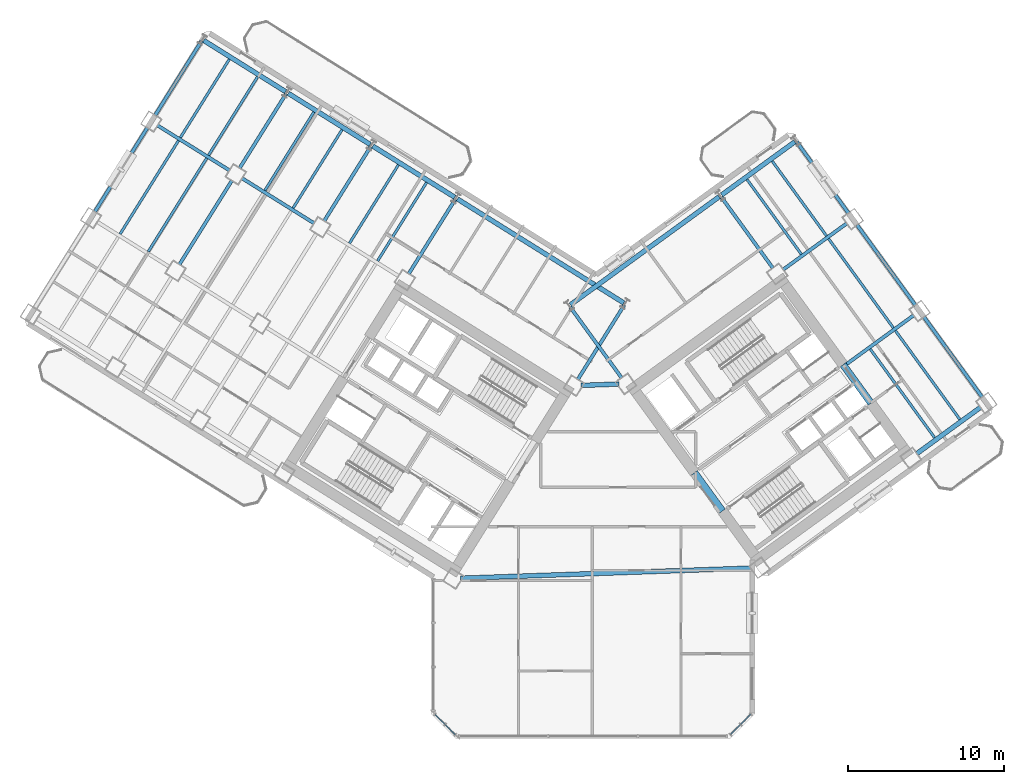
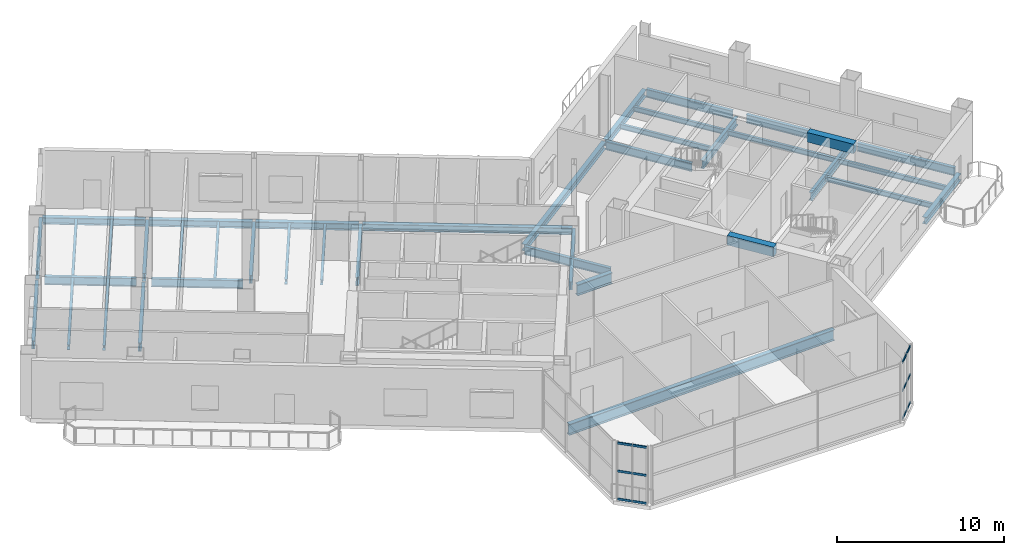
# One storey, part 7 of 19: 40 beams, 12 members, 2 elements without a shape of their own.
"""IFC4 building model written with IfcOpenShell, lengths in metres."""

from ifc_helpers import new_model, si_unit, direction, frame, origin, origin_2d, place, context, subcontext, project, spatial, rectangle, hollow_rectangle, i_section, extrude, source, transform, mapped, material, material_profile, profile_set, type_object, element, aggregate, save


model = new_model("IFC4")

# Units and contexts
model_context = context("Model", 3, precision=1e-05, world=origin(), true_north=direction((0.0, 1.0)))
body_context = subcontext(model_context, "Body", "Model", "MODEL_VIEW")
ifc_project = project(units=[si_unit("LENGTHUNIT", "METRE"), si_unit("AREAUNIT", "SQUARE_METRE"), si_unit("VOLUMEUNIT", "CUBIC_METRE"), si_unit("PLANEANGLEUNIT", "RADIAN"), si_unit("MASSUNIT", "GRAM", prefix="KILO")], contexts=[model_context])

# Site, building, storey
site_placement = place(None, origin())
site = spatial("IfcSite", under=ifc_project, at=site_placement, CompositionType="ELEMENT")
building_placement = place(site_placement, origin())
building = spatial("IfcBuilding", under=site, at=building_placement, Name="Tlacorven Tower", CompositionType="ELEMENT")
storey_placement = place(building_placement, frame((0.0, 0.0, 76.5)))
storey = spatial("IfcBuildingStorey", under=building, at=storey_placement, Name="L19", CompositionType="ELEMENT", Elevation=76.5)

# Beams
ifc_material_1 = material(Name="Concrete C60/75", Category="concrete")
ifc_material_profile_1 = material_profile(ifc_material_1, rectangle(XDim=0.449951171875, YDim=0.699951171875, at=origin_2d()), Name="RC 450X700")
ifc_profile_set_1 = profile_set([ifc_material_profile_1], Name="Concrete C60/75")
beam_type_1 = type_object("IfcBeamType", Name="BM-LNT-700", PredefinedType="LINTEL", material=ifc_profile_set_1)
shared_shape_1 = source(origin(), body_context, "Body", "SweptSolid", [
    extrude(rectangle(XDim=0.449951171875, YDim=0.699951171875, at=origin_2d()), origin(), (0.0, 0.0, 1.0), 3.050048828125),
])
for number, where, z_axis, x_axis, name in (
    (1, (50.318359375, 16.416015625, 3.89990234375), (-0.587776590479, 0.80902328748, 0.0), (-0.80902328748, -0.587776590479, 0.0), "L19 E core coupling lintel beam E1"),
    (2, (59.856689453125, 23.345947265625, 3.89990234375), (-0.587776590479, 0.80902328748, 0.0), (-0.80902328748, -0.587776590479, 0.0), "L19 E core coupling lintel beam E2"),
):
    element("IfcBeam", number, at=place(storey_placement, frame(where, z_axis=z_axis, x_axis=x_axis)), inside=storey, type_object=beam_type_1, Name=name, PredefinedType="LINTEL", context=body_context, shape_type="MappedRepresentation", body=[
        mapped(shared_shape_1, transform((0.0, 0.0, 0.0), scale=1.0)),
    ])
ifc_material_2 = material(Name="Steel S355J2", Category="steel")
ifc_material_profile_2 = material_profile(ifc_material_2, i_section(OverallWidth=0.300048828125, OverallDepth=0.800048828125, WebThickness=0.017578125, FlangeThickness=0.032958984375, at=origin_2d()), Name="HEB 800")
ifc_profile_set_2 = profile_set([ifc_material_profile_2], Name="Steel S355J2")
beam_type_2 = type_object("IfcBeamType", Name="BM-POD-800", PredefinedType="BEAM", material=ifc_profile_set_2)
shared_shape_2 = source(origin(), body_context, "Body", "SweptSolid", [
    extrude(i_section(OverallWidth=0.300048828125, OverallDepth=0.800048828125, WebThickness=0.017578125, FlangeThickness=0.032958984375, at=origin_2d()), origin(), (0.0, 0.0, 1.0), 2.44287109375),
])
beam_1_placement = place(storey_placement, frame((41.232666015625, 24.484130859375, -0.679931640625), z_axis=(0.999391550767, 0.034878765122, 0.0), x_axis=(-0.034878765122, 0.999391550767, 0.0)))
element("IfcBeam", 3, at=beam_1_placement, inside=storey, type_object=beam_type_2, Name="L19 Knuckle Link Girder 1", PredefinedType="BEAM", context=body_context, shape_type="MappedRepresentation", body=[
    mapped(shared_shape_2, transform((0.0, 0.0, 0.0), scale=1.0)),
])
shared_shape_3 = source(origin(), body_context, "Body", "SweptSolid", [
    extrude(i_section(OverallWidth=0.300048828125, OverallDepth=0.800048828125, WebThickness=0.017578125, FlangeThickness=0.032958984375, at=origin_2d()), origin(), (0.0, 0.0, 1.0), 18.771240234375),
])
beam_2_placement = place(storey_placement, frame((33.495849609375, 12.1025390625, -0.679931640625), z_axis=(0.999390514848, 0.034908434954, 0.0), x_axis=(-0.034908434954, 0.999390514848, 0.0)))
element("IfcBeam", 4, at=beam_2_placement, inside=storey, type_object=beam_type_2, Name="L19 Knuckle Link Girder 2", PredefinedType="BEAM", context=body_context, shape_type="MappedRepresentation", body=[
    mapped(shared_shape_3, transform((0.0, 0.0, 0.0), scale=1.0)),
])
ifc_material_profile_3 = material_profile(ifc_material_2, i_section(OverallWidth=0.219970703125, OverallDepth=0.60009765625, WebThickness=0.011962890625, FlangeThickness=0.01904296875, at=origin_2d()), Name="IPE 600")
ifc_profile_set_3 = profile_set([ifc_material_profile_3], Name="Steel S355J2")
beam_type_3 = type_object("IfcBeamType", Name="BM-TWR-600", PredefinedType="BEAM", material=ifc_profile_set_3)
shared_shape_4 = source(origin(), body_context, "Body", "SweptSolid", [
    extrude(i_section(OverallWidth=0.219970703125, OverallDepth=0.60009765625, WebThickness=0.011962890625, FlangeThickness=0.01904296875, at=origin_2d()), origin(), (0.0, 0.0, 1.0), 5.5),
])
for number, where, z_axis, x_axis, name in (
    (5, (24.118896484375, 34.88134765625, -0.580078125), (-0.848050668838, 0.52991514706, 0.0), (-0.52991514706, -0.848050668838, 0.0), "L19 beam BM-L19-WL2-4"),
    (6, (18.69140625, 38.272705078125, -0.580078125), (-0.848050668838, 0.52991514706, 0.0), (-0.52991514706, -0.848050668838, 0.0), "L19 beam BM-L19-WL2-5"),
):
    element("IfcBeam", number, at=place(storey_placement, frame(where, z_axis=z_axis, x_axis=x_axis)), inside=storey, type_object=beam_type_3, Name=name, PredefinedType="BEAM", context=body_context, shape_type="MappedRepresentation", body=[
        mapped(shared_shape_4, transform((0.0, 0.0, 0.0), scale=1.0)),
    ])
ifc_material_profile_4 = material_profile(ifc_material_2, i_section(OverallWidth=0.300048828125, OverallDepth=0.489990234375, WebThickness=0.011962890625, FlangeThickness=0.02294921875, at=origin_2d()), Name="HEA 500")
ifc_profile_set_4 = profile_set([ifc_material_profile_4], Name="Steel S355J2")
beam_type_4 = type_object("IfcBeamType", Name="BM-SPN-500", PredefinedType="SPANDREL", material=ifc_profile_set_4)
shared_shape_5 = source(origin(), body_context, "Body", "SweptSolid", [
    extrude(i_section(OverallWidth=0.300048828125, OverallDepth=0.489990234375, WebThickness=0.011962890625, FlangeThickness=0.02294921875, at=origin_2d()), origin(), (0.0, 0.0, 1.0), 12.599853515625),
])
beam_3_placement = place(storey_placement, frame((43.983642578125, 29.779296875, -0.52490234375), z_axis=(-0.848045108756, 0.529924045043, 0.0), x_axis=(-0.529924045043, -0.848045108756, 0.0)))
element("IfcBeam", 7, at=beam_3_placement, inside=storey, type_object=beam_type_4, Name="L19 beam BM-L19-WL1-1", PredefinedType="SPANDREL", context=body_context, shape_type="MappedRepresentation", body=[
    mapped(shared_shape_5, transform((0.0, 0.0, 0.0), scale=1.0)),
])
shared_shape_6 = source(origin(), body_context, "Body", "SweptSolid", [
    extrude(i_section(OverallWidth=0.300048828125, OverallDepth=0.489990234375, WebThickness=0.011962890625, FlangeThickness=0.02294921875, at=origin_2d()), origin(), (0.0, 0.0, 1.0), 6.199951171875),
])
beam_4_placement = place(storey_placement, frame((33.128662109375, 36.562255859375, -0.52490234375), z_axis=(-0.848051394107, 0.529913986372, 0.0), x_axis=(-0.529913986372, -0.848051394107, 0.0)))
element("IfcBeam", 8, at=beam_4_placement, inside=storey, type_object=beam_type_4, Name="L19 beam BM-L19-WL1-3", PredefinedType="SPANDREL", context=body_context, shape_type="MappedRepresentation", body=[
    mapped(shared_shape_6, transform((0.0, 0.0, 0.0), scale=1.0)),
])
shared_shape_7 = source(origin(), body_context, "Body", "SweptSolid", [
    extrude(i_section(OverallWidth=0.219970703125, OverallDepth=0.60009765625, WebThickness=0.011962890625, FlangeThickness=0.01904296875, at=origin_2d()), origin(), (0.0, 0.0, 1.0), 5.64990234375),
])
for number, where, z_axis, x_axis, name in (
    (9, (44.015380859375, 29.6416015625, -0.580078125), (-0.529897948462, -0.848061415356, 0.0), (0.848061415356, -0.529897948462, 0.0), "L19 beam BM-L19-WT1-1"),
    (10, (33.160400390625, 36.424560546875, -0.580078125), (-0.529897948462, -0.848061415356, 0.0), (0.848061415356, -0.529897948462, 0.0), "L19 beam BM-L19-WT3-1"),
    (11, (27.73291015625, 39.81591796875, -0.580078125), (-0.529897948462, -0.848061415356, 0.0), (0.848061415356, -0.529897948462, 0.0), "L19 beam BM-L19-WT4-1"),
    (12, (53.5673828125, 32.00244140625, -0.580078125), (-0.587755393186, 0.809038687444, 0.0), (-0.809038687444, -0.587755393186, 0.0), "L19 beam BM-L19-ET3-2"),
    (13, (58.421630859375, 35.529296875, -0.580078125), (-0.587804223572, 0.809003210594, 0.0), (-0.809003210594, -0.587804223572, 0.0), "L19 beam BM-L19-ET4-3"),
):
    element("IfcBeam", number, at=place(storey_placement, frame(where, z_axis=z_axis, x_axis=x_axis)), inside=storey, type_object=beam_type_3, Name=name, PredefinedType="BEAM", context=body_context, shape_type="MappedRepresentation", body=[
        mapped(shared_shape_7, transform((0.0, 0.0, 0.0), scale=1.0)),
    ])
shared_shape_8 = source(origin(), body_context, "Body", "SweptSolid", [
    extrude(i_section(OverallWidth=0.219970703125, OverallDepth=0.60009765625, WebThickness=0.011962890625, FlangeThickness=0.01904296875, at=origin_2d()), origin(), (0.0, 0.0, 1.0), 5.650146484375),
])
for number, where, z_axis, x_axis, name in (
    (14, (22.305419921875, 43.20751953125, -0.580078125), (-0.529929025184, -0.848041996759, 0.0), (0.848041996759, -0.529929025184, 0.0), "L19 beam BM-L19-WT5-1"),
    (15, (16.8779296875, 46.598876953125, -0.580078125), (-0.529929025184, -0.848041996759, 0.0), (0.848041996759, -0.529929025184, 0.0), "L19 beam BM-L19-WT6-1"),
):
    element("IfcBeam", number, at=place(storey_placement, frame(where, z_axis=z_axis, x_axis=x_axis)), inside=storey, type_object=beam_type_3, Name=name, PredefinedType="BEAM", context=body_context, shape_type="MappedRepresentation", body=[
        mapped(shared_shape_8, transform((0.0, 0.0, 0.0), scale=1.0)),
    ])
shared_shape_9 = source(origin(), body_context, "Body", "SweptSolid", [
    extrude(i_section(OverallWidth=0.219970703125, OverallDepth=0.60009765625, WebThickness=0.011962890625, FlangeThickness=0.01904296875, at=origin_2d()), origin(), (0.0, 0.0, 1.0), 6.39990234375),
])
for number, where, z_axis, x_axis, name in (
    (16, (67.003173828125, 23.717529296875, -0.580078125), (-0.587772420479, 0.809026317077, 0.0), (-0.809026317077, -0.587772420479, 0.0), "L19 beam BM-L19-ET4-1"),
    (17, (62.71240234375, 29.62353515625, -0.580078125), (-0.587815528162, 0.808994996803, 0.0), (-0.808994996803, -0.587815528162, 0.0), "L19 beam BM-L19-ET4-2"),
):
    element("IfcBeam", number, at=place(storey_placement, frame(where, z_axis=z_axis, x_axis=x_axis)), inside=storey, type_object=beam_type_3, Name=name, PredefinedType="BEAM", context=body_context, shape_type="MappedRepresentation", body=[
        mapped(shared_shape_9, transform((0.0, 0.0, 0.0), scale=1.0)),
    ])
shared_shape_10 = source(origin(), body_context, "Body", "SweptSolid", [
    extrude(i_section(OverallWidth=0.219970703125, OverallDepth=0.60009765625, WebThickness=0.011962890625, FlangeThickness=0.01904296875, at=origin_2d()), origin(), (0.0, 0.0, 1.0), 6.400146484375),
])
for number, where, z_axis, x_axis, name in (
    (18, (18.83447265625, 37.652587890625, -0.580078125), (-0.529933789039, -0.848039019877, 0.0), (0.848039019877, -0.529933789039, 0.0), "L19 beam BM-L19-WT5-2"),
    (19, (13.406982421875, 41.044189453125, -0.580078125), (-0.529933789039, -0.848039019877, 0.0), (0.848039019877, -0.529933789039, 0.0), "L19 beam BM-L19-WT6-2"),
):
    element("IfcBeam", number, at=place(storey_placement, frame(where, z_axis=z_axis, x_axis=x_axis)), inside=storey, type_object=beam_type_3, Name=name, PredefinedType="BEAM", context=body_context, shape_type="MappedRepresentation", body=[
        mapped(shared_shape_10, transform((0.0, 0.0, 0.0), scale=1.0)),
    ])
shared_shape_11 = source(origin(), body_context, "Body", "SweptSolid", [
    extrude(i_section(OverallWidth=0.300048828125, OverallDepth=0.489990234375, WebThickness=0.011962890625, FlangeThickness=0.02294921875, at=origin_2d()), origin(), (0.0, 0.0, 1.0), 11.800048828125),
])
beam_5_placement = place(storey_placement, frame((40.560302734375, 29.65966796875, -0.52490234375), z_axis=(0.80900977213, 0.587795192732, 0.0), x_axis=(-0.587795192732, 0.80900977213, 0.0)))
element("IfcBeam", 20, at=beam_5_placement, inside=storey, type_object=beam_type_4, Name="L19 beam BM-L19-EL4-1", PredefinedType="SPANDREL", context=body_context, shape_type="MappedRepresentation", body=[
    mapped(shared_shape_11, transform((0.0, 0.0, 0.0), scale=1.0)),
])
shared_shape_12 = source(origin(), body_context, "Body", "SweptSolid", [
    extrude(i_section(OverallWidth=0.300048828125, OverallDepth=0.489990234375, WebThickness=0.011962890625, FlangeThickness=0.02294921875, at=origin_2d()), origin(), (0.0, 0.0, 1.0), 5.800048828125),
])
beam_6_placement = place(storey_placement, frame((50.2685546875, 36.713134765625, -0.52490234375), z_axis=(0.809019944521, 0.587781191743, 0.0), x_axis=(-0.587781191743, 0.809019944521, 0.0)))
element("IfcBeam", 21, at=beam_6_placement, inside=storey, type_object=beam_type_4, Name="L19 beam BM-L19-EL4-3", PredefinedType="SPANDREL", context=body_context, shape_type="MappedRepresentation", body=[
    mapped(shared_shape_12, transform((0.0, 0.0, 0.0), scale=1.0)),
])
shared_shape_13 = source(origin(), body_context, "Body", "SweptSolid", [
    extrude(i_section(OverallWidth=0.219970703125, OverallDepth=0.60009765625, WebThickness=0.011962890625, FlangeThickness=0.01904296875, at=origin_2d()), origin(), (0.0, 0.0, 1.0), 5.510009765625),
])
beam_7_placement = place(storey_placement, frame((58.155029296875, 25.756103515625, -0.580078125), z_axis=(0.809015730594, 0.587786991734, 0.0), x_axis=(-0.587786991734, 0.809015730594, 0.0)))
element("IfcBeam", 22, at=beam_7_placement, inside=storey, type_object=beam_type_3, Name="L19 beam BM-L19-EL2-3", PredefinedType="BEAM", context=body_context, shape_type="MappedRepresentation", body=[
    mapped(shared_shape_13, transform((0.0, 0.0, 0.0), scale=1.0)),
])
shared_shape_14 = source(origin(), body_context, "Body", "SweptSolid", [
    extrude(i_section(OverallWidth=0.300048828125, OverallDepth=0.489990234375, WebThickness=0.011962890625, FlangeThickness=0.02294921875, at=origin_2d()), origin(), (0.0, 0.0, 1.0), 6.2001953125),
])
for number, where, z_axis, x_axis, name in (
    (23, (27.701171875, 39.95361328125, -0.52490234375), (-0.84804475579, 0.5299246099, 0.0), (-0.5299246099, -0.84804475579, 0.0), "L19 beam BM-L19-WL1-4"),
    (24, (22.273681640625, 43.34521484375, -0.52490234375), (-0.848062451332, 0.529896290457, 0.0), (-0.529896290457, -0.848062451332, 0.0), "L19 beam BM-L19-WL1-5"),
):
    element("IfcBeam", number, at=place(storey_placement, frame(where, z_axis=z_axis, x_axis=x_axis)), inside=storey, type_object=beam_type_4, Name=name, PredefinedType="SPANDREL", context=body_context, shape_type="MappedRepresentation", body=[
        mapped(shared_shape_14, transform((0.0, 0.0, 0.0), scale=1.0)),
    ])
ifc_material_profile_5 = material_profile(ifc_material_2, i_section(OverallWidth=0.169921875, OverallDepth=0.360107421875, WebThickness=0.008056640625, FlangeThickness=0.0126953125, at=origin_2d()), Name="IPE 360")
ifc_profile_set_5 = profile_set([ifc_material_profile_5], Name="Steel S355J2")
beam_type_5 = type_object("IfcBeamType", Name="BM-JST-360", PredefinedType="JOIST", material=ifc_profile_set_5)
shared_shape_15 = source(origin(), body_context, "Body", "SweptSolid", [
    extrude(i_section(OverallWidth=0.169921875, OverallDepth=0.360107421875, WebThickness=0.008056640625, FlangeThickness=0.0126953125, at=origin_2d()), origin(), (0.0, 0.0, 1.0), 5.93017578125),
])
for number, where, z_axis, x_axis, name in (
    (25, (31.322265625, 37.50830078125, -0.4599609375), (-0.529928626913, -0.848042245633, 0.0), (0.848042245633, -0.529928626913, 0.0), "L19 beam BM-L19-WJ3-1-1"),
    (26, (29.512939453125, 38.638916015625, -0.4599609375), (-0.529899018132, -0.848060746989, 0.0), (0.848060746989, -0.529899018132, 0.0), "L19 beam BM-L19-WJ3-1-2"),
    (27, (20.467041015625, 44.291259765625, -0.4599609375), (-0.529899018132, -0.848060746989, 0.0), (0.848060746989, -0.529899018132, 0.0), "L19 beam BM-L19-WJ5-1-1"),
    (28, (18.657958984375, 45.421875, -0.4599609375), (-0.529928626913, -0.848042245633, 0.0), (0.848042245633, -0.529928626913, 0.0), "L19 beam BM-L19-WJ5-1-2"),
    (29, (55.38232421875, 32.906982421875, -0.4599609375), (-0.587777512947, 0.809022617282, 0.0), (-0.809022617282, -0.587777512947, 0.0), "L19 beam BM-L19-EJ3-3-1"),
):
    element("IfcBeam", number, at=place(storey_placement, frame(where, z_axis=z_axis, x_axis=x_axis)), inside=storey, type_object=beam_type_5, Name=name, PredefinedType="JOIST", context=body_context, shape_type="MappedRepresentation", body=[
        mapped(shared_shape_15, transform((0.0, 0.0, 0.0), scale=1.0)),
    ])
shared_shape_16 = source(origin(), body_context, "Body", "SweptSolid", [
    extrude(i_section(OverallWidth=0.169921875, OverallDepth=0.360107421875, WebThickness=0.008056640625, FlangeThickness=0.0126953125, at=origin_2d()), origin(), (0.0, 0.0, 1.0), 7.070068359375),
])
for number, where, z_axis, x_axis, name in (
    (30, (17.202880859375, 39.0673828125, -0.4599609375), (-0.529915131461, -0.848050678585, 0.0), (0.848050678585, -0.529915131461, 0.0), "L19 beam BM-L19-WJ5-2-1"),
    (31, (15.3935546875, 40.19775390625, -0.4599609375), (-0.529930649952, -0.848040981463, 0.0), (0.848040981463, -0.529930649952, 0.0), "L19 beam BM-L19-WJ5-2-2"),
    (32, (61.291259765625, 28.1767578125, -0.4599609375), (-0.587797946309, 0.80900777148, 0.0), (-0.80900777148, -0.587797946309, 0.0), "L19 beam BM-L19-EJ3-2-2"),
):
    element("IfcBeam", number, at=place(storey_placement, frame(where, z_axis=z_axis, x_axis=x_axis)), inside=storey, type_object=beam_type_5, Name=name, PredefinedType="JOIST", context=body_context, shape_type="MappedRepresentation", body=[
        mapped(shared_shape_16, transform((0.0, 0.0, 0.0), scale=1.0)),
    ])
shared_shape_17 = source(origin(), body_context, "Body", "SweptSolid", [
    extrude(i_section(OverallWidth=0.169921875, OverallDepth=0.360107421875, WebThickness=0.008056640625, FlangeThickness=0.0126953125, at=origin_2d()), origin(), (0.0, 0.0, 1.0), 7.030029296875),
])
beam_8_placement = place(storey_placement, frame((63.9404296875, 21.127685546875, -0.4599609375), z_axis=(-0.587773097846, 0.809025824958, 0.0), x_axis=(-0.809025824958, -0.587773097846, 0.0)))
element("IfcBeam", 33, at=beam_8_placement, inside=storey, type_object=beam_type_5, Name="L19 beam BM-L19-EJ3-1-1", PredefinedType="JOIST", context=body_context, shape_type="MappedRepresentation", body=[
    mapped(shared_shape_17, transform((0.0, 0.0, 0.0), scale=1.0)),
])
shared_shape_18 = source(origin(), body_context, "Body", "SweptSolid", [
    extrude(i_section(OverallWidth=0.169921875, OverallDepth=0.360107421875, WebThickness=0.008056640625, FlangeThickness=0.0126953125, at=origin_2d()), origin(), (0.0, 0.0, 1.0), 5.929931640625),
])
for number, where, z_axis, x_axis, name in (
    (34, (25.894775390625, 40.899658203125, -0.4599609375), (-0.529947128902, -0.848030683742, 0.0), (0.848030683742, -0.529947128902, 0.0), "L19 beam BM-L19-WJ4-1-1"),
    (35, (24.08544921875, 42.0302734375, -0.4599609375), (-0.529917519894, -0.848049186138, 0.0), (0.848049186138, -0.529917519894, 0.0), "L19 beam BM-L19-WJ4-1-2"),
    (36, (57.00048828125, 34.082763671875, -0.4599609375), (-0.587797090585, 0.80900839322, 0.0), (-0.80900839322, -0.587797090585, 0.0), "L19 beam BM-L19-EJ3-3-2"),
):
    element("IfcBeam", number, at=place(storey_placement, frame(where, z_axis=z_axis, x_axis=x_axis)), inside=storey, type_object=beam_type_5, Name=name, PredefinedType="JOIST", context=body_context, shape_type="MappedRepresentation", body=[
        mapped(shared_shape_18, transform((0.0, 0.0, 0.0), scale=1.0)),
    ])
shared_shape_19 = source(origin(), body_context, "Body", "SweptSolid", [
    extrude(i_section(OverallWidth=0.300048828125, OverallDepth=0.489990234375, WebThickness=0.011962890625, FlangeThickness=0.02294921875, at=origin_2d()), origin(), (0.0, 0.0, 1.0), 5.10009765625),
])
beam_9_placement = place(storey_placement, frame((62.777587890625, 20.09130859375, -0.52490234375), z_axis=(0.809007176828, 0.58779876475, 0.0), x_axis=(-0.58779876475, 0.809007176828, 0.0)))
element("IfcBeam", 37, at=beam_9_placement, inside=storey, type_object=beam_type_4, Name="L19 beam BM-L19-EL1-3", PredefinedType="SPANDREL", context=body_context, shape_type="MappedRepresentation", body=[
    mapped(shared_shape_19, transform((0.0, 0.0, 0.0), scale=1.0)),
])
shared_shape_20 = source(origin(), body_context, "Body", "SweptSolid", [
    extrude(i_section(OverallWidth=0.219970703125, OverallDepth=0.60009765625, WebThickness=0.011962890625, FlangeThickness=0.01904296875, at=origin_2d()), origin(), (0.0, 0.0, 1.0), 5.099853515625),
])
beam_10_placement = place(storey_placement, frame((54.196044921875, 31.903076171875, -0.580078125), z_axis=(0.809029940764, 0.587767432704, 0.0), x_axis=(-0.587767432704, 0.809029940764, 0.0)))
element("IfcBeam", 38, at=beam_10_placement, inside=storey, type_object=beam_type_3, Name="L19 beam BM-L19-EL3-3", PredefinedType="BEAM", context=body_context, shape_type="MappedRepresentation", body=[
    mapped(shared_shape_20, transform((0.0, 0.0, 0.0), scale=1.0)),
])
shared_shape_21 = source(origin(), body_context, "Body", "SweptSolid", [
    extrude(i_section(OverallWidth=0.219970703125, OverallDepth=0.60009765625, WebThickness=0.011962890625, FlangeThickness=0.01904296875, at=origin_2d()), origin(), (0.0, 0.0, 1.0), 5.649658203125),
])
beam_11_placement = place(storey_placement, frame((43.859130859375, 24.94921875, -0.580078125), z_axis=(-0.587775941251, 0.809023759161, 0.0), x_axis=(-0.809023759161, -0.587775941251, 0.0)))
element("IfcBeam", 39, at=beam_11_placement, inside=storey, type_object=beam_type_3, Name="L19 beam BM-L19-ET1-2", PredefinedType="BEAM", context=body_context, shape_type="MappedRepresentation", body=[
    mapped(shared_shape_21, transform((0.0, 0.0, 0.0), scale=1.0)),
])
shared_shape_22 = source(origin(), body_context, "Body", "SweptSolid", [
    extrude(i_section(OverallWidth=0.169921875, OverallDepth=0.360107421875, WebThickness=0.008056640625, FlangeThickness=0.0126953125, at=origin_2d()), origin(), (0.0, 0.0, 1.0), 7.02978515625),
])
beam_12_placement = place(storey_placement, frame((65.55859375, 22.303466796875, -0.4599609375), z_axis=(-0.587789612219, 0.809013826685, 0.0), x_axis=(-0.809013826685, -0.587789612219, 0.0)))
element("IfcBeam", 40, at=beam_12_placement, inside=storey, type_object=beam_type_5, Name="L19 beam BM-L19-EJ3-1-2", PredefinedType="JOIST", context=body_context, shape_type="MappedRepresentation", body=[
    mapped(shared_shape_22, transform((0.0, 0.0, 0.0), scale=1.0)),
])

# Curtain wall, members
ifc_material_3 = material(Name="Dark solar low-E double glazing in aluminium frame", Category="aluminium")
curtain_wall_type = type_object("IfcCurtainWallType", Name="CW-COM-AMENITY", PredefinedType="USERDEFINED", material=ifc_material_3)
curtain_wall_1_placement = place(storey_placement, origin())
curtain_wall_1 = element("IfcCurtainWall", 41, at=curtain_wall_1_placement, inside=storey, type_object=curtain_wall_type, Name="L19 CW-COM-AMENITY Curtain Wall 103", ObjectType="UNITISED CURTAIN WALL", PredefinedType="USERDEFINED")
ifc_material_4 = material(Name="Aluminium 6063-T6 anodised", Category="aluminium")
ifc_material_profile_6 = material_profile(ifc_material_4, hollow_rectangle(XDim=0.06494140625, YDim=0.159912109375, WallThickness=0.00390625, at=origin_2d()), Name="ALU TRANSOM 65X160")
ifc_profile_set_6 = profile_set([ifc_material_profile_6], Name="Aluminium 6063-T6 anodised")
member_type = type_object("IfcMemberType", Name="CWT-01", PredefinedType="USERDEFINED", material=ifc_profile_set_6)
shared_shape_23 = source(origin(), body_context, "Body", "SweptSolid", [
    extrude(hollow_rectangle(XDim=0.06494140625, YDim=0.159912109375, WallThickness=0.00390625, at=origin_2d()), origin(), (0.0, 0.0, 1.0), 0.8837890625),
])
member_1_placement = place(storey_placement, frame((52.128173828125, 3.3544921875, 0.080078125), z_axis=(-0.707106781187, -0.707106781187, 0.0), x_axis=(0.707106781187, -0.707106781187, 0.0)))
member_1 = element("IfcMember", 42, at=member_1_placement, type_object=member_type, Name="CW-L19-103 Transom 1", ObjectType="TRANSOM", PredefinedType="USERDEFINED", context=body_context, shape_type="MappedRepresentation", body=[
    mapped(shared_shape_23, transform((0.0, 0.0, 0.0), scale=1.0)),
])
member_2_placement = place(storey_placement, frame((52.128173828125, 3.3544921875, 2.125), z_axis=(-0.707106781187, -0.707106781187, 0.0), x_axis=(0.707106781187, -0.707106781187, 0.0)))
member_2 = element("IfcMember", 43, at=member_2_placement, type_object=member_type, Name="CW-L19-103 Transom 2", ObjectType="TRANSOM", PredefinedType="USERDEFINED", context=body_context, shape_type="MappedRepresentation", body=[
    mapped(shared_shape_23, transform((0.0, 0.0, 0.0), scale=1.0)),
])
member_3_placement = place(storey_placement, frame((52.128173828125, 3.3544921875, 4.169921875), z_axis=(-0.707106781187, -0.707106781187, 0.0), x_axis=(0.707106781187, -0.707106781187, 0.0)))
member_3 = element("IfcMember", 44, at=member_3_placement, type_object=member_type, Name="CW-L19-103 Transom 3", ObjectType="TRANSOM", PredefinedType="USERDEFINED", context=body_context, shape_type="MappedRepresentation", body=[
    mapped(shared_shape_23, transform((0.0, 0.0, 0.0), scale=1.0)),
])

curtain_wall_2_placement = place(storey_placement, origin())
curtain_wall_2 = element("IfcCurtainWall", 45, at=curtain_wall_2_placement, inside=storey, type_object=curtain_wall_type, Name="L19 CW-COM-AMENITY Curtain Wall 105", ObjectType="UNITISED CURTAIN WALL", PredefinedType="USERDEFINED")
member_4_placement = place(storey_placement, frame((32.496826171875, 2.7294921875, 0.080078125), z_axis=(-0.707106781187, 0.707106781187, 0.0), x_axis=(-0.707106781187, -0.707106781187, 0.0)))
member_4 = element("IfcMember", 46, at=member_4_placement, type_object=member_type, Name="CW-L19-105 Transom 4", ObjectType="TRANSOM", PredefinedType="USERDEFINED", context=body_context, shape_type="MappedRepresentation", body=[
    mapped(shared_shape_23, transform((0.0, 0.0, 0.0), scale=1.0)),
])
member_5_placement = place(storey_placement, frame((32.496826171875, 2.7294921875, 2.125), z_axis=(-0.707106781187, 0.707106781187, 0.0), x_axis=(-0.707106781187, -0.707106781187, 0.0)))
member_5 = element("IfcMember", 47, at=member_5_placement, type_object=member_type, Name="CW-L19-105 Transom 5", ObjectType="TRANSOM", PredefinedType="USERDEFINED", context=body_context, shape_type="MappedRepresentation", body=[
    mapped(shared_shape_23, transform((0.0, 0.0, 0.0), scale=1.0)),
])
member_6_placement = place(storey_placement, frame((32.496826171875, 2.7294921875, 4.169921875), z_axis=(-0.707106781187, 0.707106781187, 0.0), x_axis=(-0.707106781187, -0.707106781187, 0.0)))
member_6 = element("IfcMember", 48, at=member_6_placement, type_object=member_type, Name="CW-L19-105 Transom 6", ObjectType="TRANSOM", PredefinedType="USERDEFINED", context=body_context, shape_type="MappedRepresentation", body=[
    mapped(shared_shape_23, transform((0.0, 0.0, 0.0), scale=1.0)),
])

# Member
shared_shape_24 = source(origin(), body_context, "Body", "SweptSolid", [
    extrude(hollow_rectangle(XDim=0.06494140625, YDim=0.159912109375, WallThickness=0.00390625, at=origin_2d()), origin(), (0.0, 0.0, 1.0), 0.884033203125),
])
member_7_placement = place(storey_placement, frame((51.470703125, 2.69677734375, 0.080078125), z_axis=(-0.707244847527, -0.706968687883, 0.0), x_axis=(0.706968687883, -0.707244847527, 0.0)))
member_7 = element("IfcMember", 49, at=member_7_placement, type_object=member_type, Name="CW-L19-103 Transom 4", ObjectType="TRANSOM", PredefinedType="USERDEFINED", context=body_context, shape_type="MappedRepresentation", body=[
    mapped(shared_shape_24, transform((0.0, 0.0, 0.0), scale=1.0)),
])

member_8_placement = place(storey_placement, frame((51.470703125, 2.69677734375, 2.125), z_axis=(-0.707244847527, -0.706968687883, 0.0), x_axis=(0.706968687883, -0.707244847527, 0.0)))
member_8 = element("IfcMember", 50, at=member_8_placement, type_object=member_type, Name="CW-L19-103 Transom 5", ObjectType="TRANSOM", PredefinedType="USERDEFINED", context=body_context, shape_type="MappedRepresentation", body=[
    mapped(shared_shape_24, transform((0.0, 0.0, 0.0), scale=1.0)),
])

member_9_placement = place(storey_placement, frame((51.470703125, 2.69677734375, 4.169921875), z_axis=(-0.707244847527, -0.706968687883, 0.0), x_axis=(0.706968687883, -0.707244847527, 0.0)))
member_9 = element("IfcMember", 51, at=member_9_placement, type_object=member_type, Name="CW-L19-103 Transom 6", ObjectType="TRANSOM", PredefinedType="USERDEFINED", context=body_context, shape_type="MappedRepresentation", body=[
    mapped(shared_shape_24, transform((0.0, 0.0, 0.0), scale=1.0)),
])

aggregate(curtain_wall_1, [member_1, member_2, member_3, member_7, member_8, member_9])

member_10_placement = place(storey_placement, frame((33.154541015625, 2.07177734375, 0.080078125), z_axis=(-0.707244847527, 0.706968687883, 0.0), x_axis=(-0.706968687883, -0.707244847527, 0.0)))
member_10 = element("IfcMember", 52, at=member_10_placement, type_object=member_type, Name="CW-L19-105 Transom 1", ObjectType="TRANSOM", PredefinedType="USERDEFINED", context=body_context, shape_type="MappedRepresentation", body=[
    mapped(shared_shape_24, transform((0.0, 0.0, 0.0), scale=1.0)),
])

member_11_placement = place(storey_placement, frame((33.154541015625, 2.07177734375, 2.125), z_axis=(-0.707244847527, 0.706968687883, 0.0), x_axis=(-0.706968687883, -0.707244847527, 0.0)))
member_11 = element("IfcMember", 53, at=member_11_placement, type_object=member_type, Name="CW-L19-105 Transom 2", ObjectType="TRANSOM", PredefinedType="USERDEFINED", context=body_context, shape_type="MappedRepresentation", body=[
    mapped(shared_shape_24, transform((0.0, 0.0, 0.0), scale=1.0)),
])

member_12_placement = place(storey_placement, frame((33.154541015625, 2.07177734375, 4.169921875), z_axis=(-0.707244847527, 0.706968687883, 0.0), x_axis=(-0.706968687883, -0.707244847527, 0.0)))
member_12 = element("IfcMember", 54, at=member_12_placement, type_object=member_type, Name="CW-L19-105 Transom 3", ObjectType="TRANSOM", PredefinedType="USERDEFINED", context=body_context, shape_type="MappedRepresentation", body=[
    mapped(shared_shape_24, transform((0.0, 0.0, 0.0), scale=1.0)),
])

aggregate(curtain_wall_2, [member_10, member_11, member_12, member_4, member_5, member_6])

save(model, "model.ifc")
